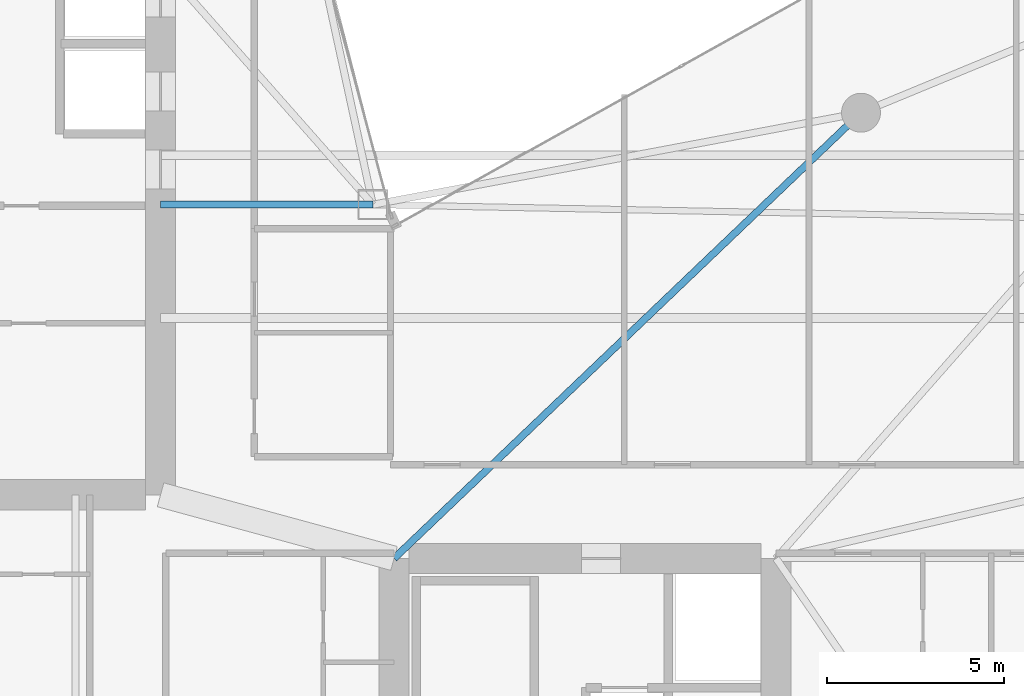
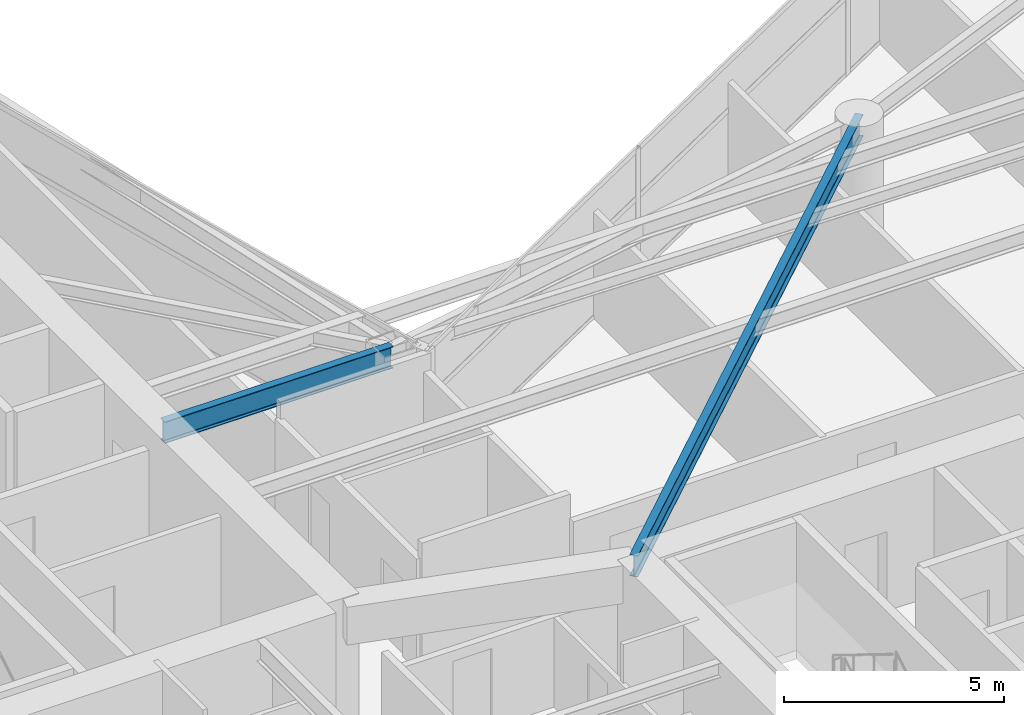
# One storey, part 9 of 28: 2 beams.
"""IFC4 building model written with IfcOpenShell, lengths in metres."""

from ifc_helpers import new_model, si_unit, direction, frame, origin, origin_2d, place, context, subcontext, project, spatial, i_section, extrude, material, material_profile, profile_set, type_object, element, save


model = new_model("IFC4")

# Units and contexts
model_context = context("Model", 3, precision=1e-05, world=origin(), true_north=direction((0.0, 1.0)))
body_context = subcontext(model_context, "Body", "Model", "MODEL_VIEW")
ifc_project = project(units=[si_unit("LENGTHUNIT", "METRE"), si_unit("AREAUNIT", "SQUARE_METRE"), si_unit("VOLUMEUNIT", "CUBIC_METRE"), si_unit("PLANEANGLEUNIT", "RADIAN"), si_unit("MASSUNIT", "GRAM", prefix="KILO")], contexts=[model_context])

# Site, building, storey
site_placement = place(None, origin())
site = spatial("IfcSite", under=ifc_project, at=site_placement, CompositionType="ELEMENT")
building_placement = place(site_placement, origin())
building = spatial("IfcBuilding", under=site, at=building_placement, Name="Calvorn Quay Hotel", CompositionType="ELEMENT")
storey_placement = place(building_placement, frame((0.0, 0.0, 178.89990234375)))
storey = spatial("IfcBuildingStorey", under=building, at=storey_placement, Name="L44", CompositionType="ELEMENT", Elevation=178.89990234375)

# Beams
ifc_material = material(Name="Steel Q355B", Category="steel")
ifc_material_profile = material_profile(ifc_material, i_section(OverallWidth=0.199951171875, OverallDepth=0.60009765625, WebThickness=0.010986328125, FlangeThickness=0.01708984375, FilletRadius=0.01806640625, at=origin_2d()), Name="HN600x200x11x17")
ifc_profile_set = profile_set([ifc_material_profile], Name="Steel Q355B")
beam_type = type_object("IfcBeamType", Name="BM-GIRD-TYP", PredefinedType="BEAM", material=ifc_profile_set)
beam_1_placement = place(storey_placement, frame((21.0, 25.0, 3.239990234375), z_axis=(-1.0, 0.0, 0.0), x_axis=(0.0, -1.0, 0.0)))
element("IfcBeam", 1, at=beam_1_placement, inside=storey, type_object=beam_type, Name="Beam BG-L44-W7", PredefinedType="BEAM", context=body_context, shape_type="SweptSolid", body=[
    extrude(i_section(OverallWidth=0.199951171875, OverallDepth=0.60009765625, WebThickness=0.010986328125, FlangeThickness=0.01708984375, FilletRadius=0.01806640625, at=origin_2d()), origin(), (0.0, 0.0, 1.0), 6.0),
])
beam_2_placement = place(storey_placement, frame((21.60009765625, 15.0, 3.239990234375), z_axis=(0.723351595578, 0.690479883252, 0.0), x_axis=(-0.690479883252, 0.723351595578, 0.0)))
element("IfcBeam", 2, at=beam_2_placement, inside=storey, type_object=beam_type, Name="Beam BG-L44-E4", PredefinedType="BEAM", context=body_context, shape_type="SweptSolid", body=[
    extrude(i_section(OverallWidth=0.199951171875, OverallDepth=0.60009765625, WebThickness=0.010986328125, FlangeThickness=0.01708984375, FilletRadius=0.01806640625, at=origin_2d()), origin(), (0.0, 0.0, 1.0), 18.248291015625),
])

save(model, "model.ifc")
